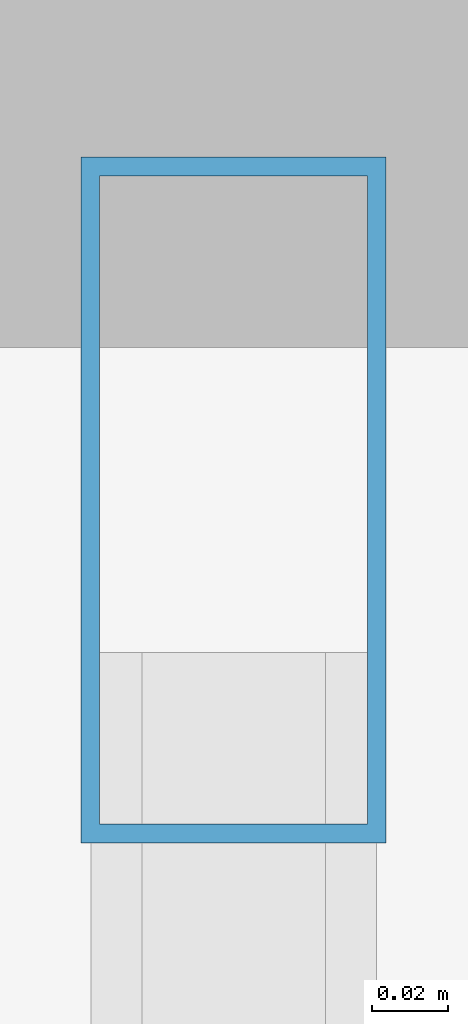
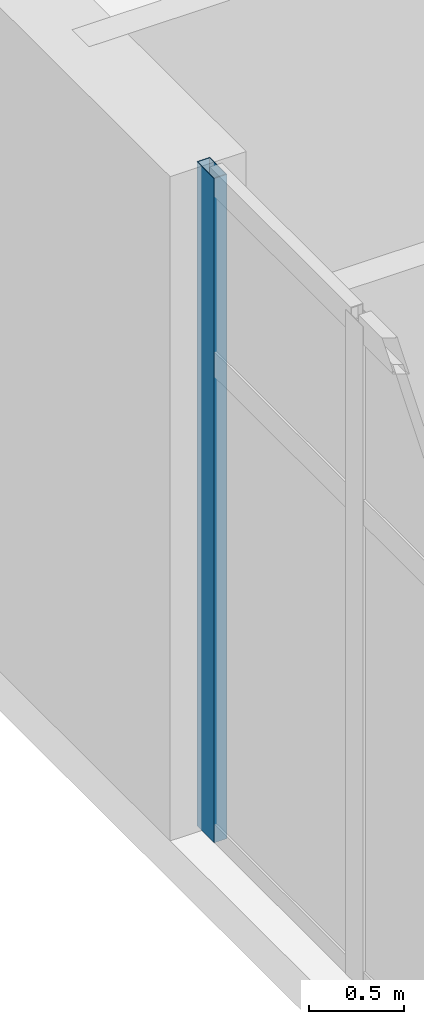
# One storey, part 12 of 29: 1 member, 1 element without a shape of its own.
"""IFC4 building model written with IfcOpenShell, lengths in metres."""

from ifc_helpers import new_model, si_unit, direction, frame, origin, origin_2d, place, context, subcontext, project, spatial, hollow_rectangle, extrude, source, transform, mapped, material, layer, layer_set, material_profile, profile_set, type_object, element, aggregate, save


model = new_model("IFC4")

# Units and contexts
model_context = context("Model", 3, precision=1e-05, world=origin(), true_north=direction((0.0, 1.0)))
body_context = subcontext(model_context, "Body", "Model", "MODEL_VIEW")
ifc_project = project(units=[si_unit("LENGTHUNIT", "METRE"), si_unit("AREAUNIT", "SQUARE_METRE"), si_unit("VOLUMEUNIT", "CUBIC_METRE"), si_unit("PLANEANGLEUNIT", "RADIAN"), si_unit("MASSUNIT", "GRAM", prefix="KILO")], contexts=[model_context])

# Site, building, storey
site_placement = place(None, origin())
site = spatial("IfcSite", under=ifc_project, at=site_placement, CompositionType="ELEMENT")
building_placement = place(site_placement, origin())
building = spatial("IfcBuilding", under=site, at=building_placement, Name="Liaohun Quay Tower", CompositionType="ELEMENT")
storey_placement = place(building_placement, frame((0.0, 0.0, 5.39990234375)))
storey = spatial("IfcBuildingStorey", under=building, at=storey_placement, Name="L02", CompositionType="ELEMENT", Elevation=5.39990234375)

# Curtain wall, member
ifc_material_1 = material(Name="Thermally broken podium arcade storefront curtain wall")
ifc_layer = layer(ifc_material_1, 0.179931640625, Name="Thermally broken podium arcade storefront curtain wall")
ifc_layer_set = layer_set([ifc_layer], Name="Thermally broken podium arcade storefront curtain wall")
curtain_wall_type = type_object("IfcCurtainWallType", Name="CW-POD-RET", PredefinedType="NOTDEFINED", material=ifc_layer_set)
curtain_wall_placement = place(storey_placement, origin())
curtain_wall = element("IfcCurtainWall", 1, at=curtain_wall_placement, inside=storey, type_object=curtain_wall_type, Name="L02 Podium Arcade Storefront CW2-W2", PredefinedType="NOTDEFINED")
ifc_material_2 = material(Name="Anodised aluminium 6063-T6", Category="aluminium")
ifc_material_profile = material_profile(ifc_material_2, hollow_rectangle(XDim=0.080078125, YDim=0.179931640625, WallThickness=0.0048828125, at=origin_2d()), Name="RHS180x80x5")
ifc_profile_set = profile_set([ifc_material_profile], Name="Anodised aluminium 6063-T6")
member_type = type_object("IfcMemberType", Name="MEM-CWM-POD", PredefinedType="MULLION", material=ifc_profile_set)
shared_shape = source(origin(), body_context, "Body", "SweptSolid", [
    extrude(hollow_rectangle(XDim=0.080078125, YDim=0.179931640625, WallThickness=0.0048828125, at=origin_2d()), origin(), (0.0, 0.0, 1.0), 4.25),
])
member_placement = place(storey_placement, frame((15.22998046875, 44.72998046875, 0.0), z_axis=(0.0, 0.0, 1.0), x_axis=(1.0, 0.0, 0.0)))
member = element("IfcMember", 2, at=member_placement, type_object=member_type, Name="CW2 mullion 1", PredefinedType="MULLION", context=body_context, shape_type="MappedRepresentation", body=[
    mapped(shared_shape, transform((0.0, 0.0, 0.0), x_axis=(1.0, 0.0, 0.0), y_axis=(0.0, 1.0, 0.0), z_axis=(0.0, 0.0, 1.0), scale=1.0)),
])
aggregate(curtain_wall, [member])

save(model, "model.ifc")
